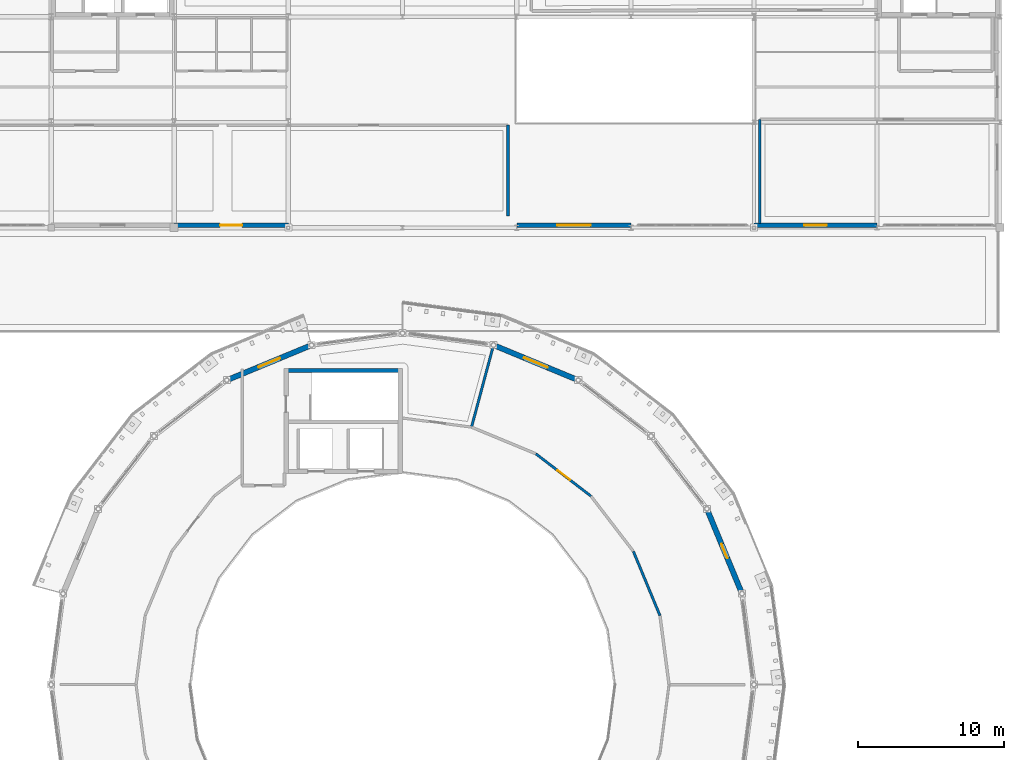
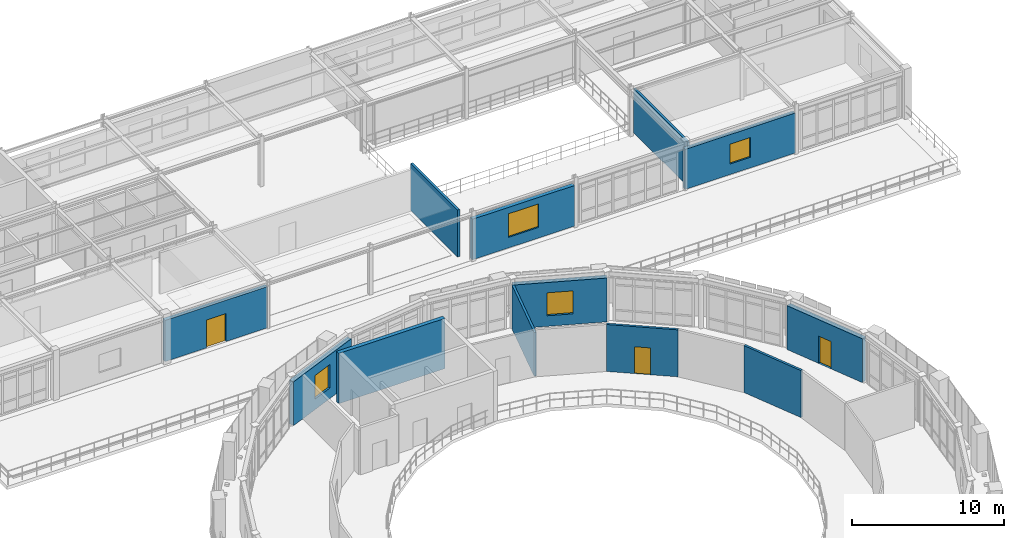
# One storey, part 46 of 58: 12 walls, 4 windows, 3 doors, 7 openings.
"""IFC4 building model written with IfcOpenShell, lengths in metres."""

import ifcopenshell
import ifcopenshell.guid

model = None  # the IFC model being written
_history = None  # IfcOwnerHistory: only IFC2X3 demands one
_inside = {}  # id of a spatial element -> (the spatial element, [elements in it])
_under = {}  # id of a project, library or spatial element -> (it, [spatial elements below it])
_declared = {}  # id of a project -> (the project, [libraries it declares])
_typed = {}  # id of a type object -> (the type object, [elements of that type])
_made_of = {}  # id of a material, layer set ... -> (it, [elements and type objects made of it])


def new_model(schema):
    """Start an empty IFC model of exactly this schema.

    Asked for "IFC4X3", IfcOpenShell would pick the latest addendum, in which some entities
    have other attributes; the version numbers below select the first issue.
    IFC2X3 requires an IfcOwnerHistory on every rooted entity: one is made here for all.
    """
    global model, _history
    if schema == "IFC4X3":
        model = ifcopenshell.file(schema_version=(4, 3, 0, 0))
    else:
        model = ifcopenshell.file(schema=schema)
    _inside.clear()
    _under.clear()
    _declared.clear()
    _typed.clear()
    _made_of.clear()
    _history = None
    if model.schema == "IFC2X3":
        org = make("IfcOrganization", Name="unknown")
        user = make(
            "IfcPersonAndOrganization",
            ThePerson=make("IfcPerson", FamilyName="unknown"),
            TheOrganization=org,
        )
        app = make(
            "IfcApplication",
            ApplicationDeveloper=org,
            Version="unknown",
            ApplicationFullName="unknown",
            ApplicationIdentifier="unknown",
        )
        _history = make(
            "IfcOwnerHistory",
            OwningUser=user,
            OwningApplication=app,
            ChangeAction="ADDED",
            CreationDate=0,
        )
    return model


def make(cls, **values):
    """One entity of the class cls with the attributes given. An attribute that is None is left unset."""
    return model.create_entity(
        cls, **{name: value for name, value in values.items() if value is not None}
    )


def rooted(cls, **values):
    """An entity with a GlobalId (a new one), such as an element, a storey or a relation."""
    return make(cls, GlobalId=ifcopenshell.guid.new(), OwnerHistory=_history, **values)


def si_unit(unit_type, name, prefix=None):
    """IfcSIUnit, for example si_unit("LENGTHUNIT", "METRE", prefix="MILLI")."""
    return make("IfcSIUnit", UnitType=unit_type, Prefix=prefix, Name=name)


def derived_unit(unit_type, elements):
    """IfcDerivedUnit: a product of units, each with its exponent."""
    return make(
        "IfcDerivedUnit",
        Elements=[
            make("IfcDerivedUnitElement", Unit=unit, Exponent=power)
            for unit, power in elements
        ],
        UnitType=unit_type,
    )


def assignment(units):
    """IfcUnitAssignment: the units of a project."""
    return None if units is None else make("IfcUnitAssignment", Units=units)


def point(xyz):
    """IfcCartesianPoint."""
    return None if xyz is None else make("IfcCartesianPoint", Coordinates=xyz)


def direction(xyz):
    """IfcDirection."""
    return None if xyz is None else make("IfcDirection", DirectionRatios=xyz)


def frame(location, z_axis=None, x_axis=None):
    """IfcAxis2Placement3D, a coordinate frame: its origin and axes. An axis left out is left unset."""
    return make(
        "IfcAxis2Placement3D",
        Location=point(location),
        Axis=direction(z_axis),
        RefDirection=direction(x_axis),
    )


def frame_2d(location, x_axis=None):
    """IfcAxis2Placement2D, a coordinate frame in the plane: its origin and x axis."""
    return make(
        "IfcAxis2Placement2D", Location=point(location), RefDirection=direction(x_axis)
    )


def origin():
    """The frame at (0, 0, 0) with its axes left unset."""
    return frame((0.0, 0.0, 0.0))


def place(relative_to, where):
    """IfcLocalPlacement: puts the frame where relative to a parent placement (None: the world)."""
    return make(
        "IfcLocalPlacement", PlacementRelTo=relative_to, RelativePlacement=where
    )


def context(
    kind, dimensions, precision=None, world=None, true_north=None, identifier=None
):
    """IfcGeometricRepresentationContext, for example the 3D "Model" context."""
    return make(
        "IfcGeometricRepresentationContext",
        ContextIdentifier=identifier,
        ContextType=kind,
        CoordinateSpaceDimension=dimensions,
        Precision=precision,
        WorldCoordinateSystem=world,
        TrueNorth=true_north,
    )


def subcontext(parent, identifier, kind, view, scale=None):
    """IfcGeometricRepresentationSubContext, for example "Body" below "Model"."""
    return make(
        "IfcGeometricRepresentationSubContext",
        ContextIdentifier=identifier,
        ContextType=kind,
        ParentContext=parent,
        TargetScale=scale,
        TargetView=view,
    )


def project(units=None, contexts=None):
    """IfcProject with its units and contexts."""
    return rooted(
        "IfcProject",
        Name="project",
        RepresentationContexts=contexts,
        UnitsInContext=assignment(units),
    )


def spatial(cls, under=None, at=None, **own):
    """A site, building, storey or space (cls), placed at a placement, below another one or the project."""
    s = rooted(cls, ObjectPlacement=at, **own)
    if under is not None:
        _under.setdefault(under.id(), (under, []))[1].append(s)
    return s


def profile(cls, at=None, kind="AREA", **sizes):
    """A parametric profile (cls). Its sizes go by their IFC names, for example OverallWidth=200.0."""
    return make(cls, ProfileType=kind, Position=at, **sizes)


def rectangle(**sizes):
    """IfcRectangleProfileDef."""
    return profile("IfcRectangleProfileDef", **sizes)


def extrude(swept, where, along, depth):
    """IfcExtrudedAreaSolid: the profile swept, set in the frame where, extruded along a direction by depth."""
    return make(
        "IfcExtrudedAreaSolid",
        SweptArea=swept,
        Position=where,
        ExtrudedDirection=direction(along),
        Depth=depth,
    )


def shape(context_of_items, identifier, shape_type, items):
    """IfcShapeRepresentation: the items that make up one representation, for example the "Body"."""
    return make(
        "IfcShapeRepresentation",
        ContextOfItems=context_of_items,
        RepresentationIdentifier=identifier,
        RepresentationType=shape_type,
        Items=items,
    )


def material(Name=None, Category=None):
    """IfcMaterial."""
    return make("IfcMaterial", Name=Name, Category=Category)


def layer(
    of_material, thickness, ventilated=None, Name=None, Category=None, Priority=None
):
    """IfcMaterialLayer: one layer of a wall or slab, of a material (None: an air gap)."""
    return make(
        "IfcMaterialLayer",
        Material=of_material,
        LayerThickness=thickness,
        IsVentilated=ventilated,
        Name=Name,
        Category=Category,
        Priority=Priority,
    )


def layer_set(layers, Name=None):
    """IfcMaterialLayerSet."""
    return make("IfcMaterialLayerSet", MaterialLayers=layers, LayerSetName=Name)


def made_of(thing, what):
    """Note that an element or type object is made of a material, layer set ...; save() writes the relation."""
    if what is not None:
        _made_of.setdefault(what.id(), (what, []))[1].append(thing)
    return thing


def type_object(cls, material=None, **own):
    """A type object (cls), such as IfcWallType, which elements share."""
    return made_of(rooted(cls, **own), material)


def element(
    cls,
    number,
    at=None,
    inside=None,
    cuts=None,
    type_object=None,
    material=None,
    context=None,
    identifier="Body",
    shape_type=None,
    held_by="IfcProductDefinitionShape",
    body=None,
    shapes=None,
    **own,
):
    """One element of the class cls, such as IfcWall. Its Tag is "e" and its number.

    at: its placement. inside: the storey or other place that contains it. cuts: it is an
    opening in that element (IfcRelVoidsElement). A single representation is given by context,
    identifier, shape_type and body (its items); several are given by shapes. held_by: the class
    of the entity that holds the representations. save() writes the other relations.
    """
    e = rooted(cls, Tag="e%d" % number, ObjectPlacement=at, **own)
    if body is not None:
        shapes = [shape(context, identifier, shape_type, body)]
    if shapes is not None:
        e.Representation = make(held_by, Representations=shapes)
    if inside is not None:
        _inside.setdefault(inside.id(), (inside, []))[1].append(e)
    if cuts is not None:
        rooted(
            "IfcRelVoidsElement", RelatingBuildingElement=cuts, RelatedOpeningElement=e
        )
    if type_object is not None:
        _typed.setdefault(type_object.id(), (type_object, []))[1].append(e)
    return made_of(e, material)


def fill(opening, filler):
    """IfcRelFillsElement: the door or window that sits in an opening."""
    return rooted(
        "IfcRelFillsElement",
        RelatingOpeningElement=opening,
        RelatedBuildingElement=filler,
    )


def aggregate(whole, parts):
    """IfcRelAggregates: a whole, such as a stair, and the parts it consists of."""
    return rooted("IfcRelAggregates", RelatingObject=whole, RelatedObjects=parts)


def save(model, path):
    """Write the relations noted so far, then the file.

    IfcRelAggregates (storeys below a building ...), IfcRelContainedInSpatialStructure (elements
    in a storey), IfcRelDefinesByType, IfcRelAssociatesMaterial and IfcRelDeclares: one each for
    every whole, place, type object, material and project.
    """
    for whole, parts in _under.values():
        aggregate(whole, parts)
    for where, things in _inside.values():
        rooted(
            "IfcRelContainedInSpatialStructure",
            RelatedElements=things,
            RelatingStructure=where,
        )
    for kind, things in _typed.values():
        rooted("IfcRelDefinesByType", RelatedObjects=things, RelatingType=kind)
    for what, things in _made_of.values():
        rooted("IfcRelAssociatesMaterial", RelatedObjects=things, RelatingMaterial=what)
    for by, libraries in _declared.values():
        rooted("IfcRelDeclares", RelatingContext=by, RelatedDefinitions=libraries)
    model.write(path)


model = new_model("IFC4")

# Units and contexts
model_context = context("Model", 3, precision=1e-05, world=origin(), true_north=direction((0.0, 1.0)))
body_context = subcontext(model_context, "Body", "Model", "MODEL_VIEW")
ifc_project = project(units=[si_unit("LENGTHUNIT", "METRE"), si_unit("AREAUNIT", "SQUARE_METRE"), si_unit("VOLUMEUNIT", "CUBIC_METRE"), si_unit("PLANEANGLEUNIT", "RADIAN"), si_unit("MASSUNIT", "GRAM", prefix="KILO"), derived_unit("THERMALTRANSMITTANCEUNIT", [(si_unit("POWERUNIT", "WATT"), 1), (si_unit("AREAUNIT", "SQUARE_METRE"), -1), (si_unit("THERMODYNAMICTEMPERATUREUNIT", "KELVIN"), -1)])], contexts=[model_context])

# Site, building, storey
site_placement = place(None, origin())
site = spatial("IfcSite", under=ifc_project, at=site_placement, CompositionType="ELEMENT")
building_placement = place(site_placement, origin())
building = spatial("IfcBuilding", under=site, at=building_placement, Name="Yasenodar Specialist Clinic", CompositionType="ELEMENT")
storey_placement = place(building_placement, frame((0.0, 0.0, 17.25)))
storey = spatial("IfcBuildingStorey", under=building, at=storey_placement, Name="L04", CompositionType="ELEMENT", Elevation=17.25)

# Wall, opening, door
ifc_material_1 = material(Name="Drum Insulated Terracotta Chord Wall", Category="masonry")
ifc_layer_1 = layer(ifc_material_1, 0.364990234375)
ifc_layer_set_1 = layer_set([ifc_layer_1], Name="Drum Insulated Terracotta Chord Wall")
wall_type_1 = type_object("IfcWallType", Name="EW-DRUM-365", PredefinedType="SOLIDWALL", material=ifc_layer_set_1)
wall_1_placement = place(storey_placement, frame((101.78466796875, 70.800048828125, 0.0), z_axis=(0.0, 0.0, 1.0), x_axis=(0.382663829839, -0.9238876519, 0.0)))
wall_1 = element("IfcWall", 1, at=wall_1_placement, inside=storey, type_object=wall_type_1, Name="L04 Exterior Facade Wall 0032", PredefinedType="SOLIDWALL", context=body_context, shape_type="SweptSolid", body=[
    extrude(rectangle(XDim=6.26513671875, YDim=0.364990234375, at=frame_2d((3.132568359375, 0.0))), origin(), (0.0, 0.0, 1.0), 3.528076171875),
])
opening_1_placement = place(wall_1_placement, frame((2.607666015625, 0.0, 0.0)))
opening_1 = element("IfcOpeningElement", 2, at=opening_1_placement, cuts=wall_1, Name="Opening BD-01", PredefinedType="OPENING", context=body_context, shape_type="SweptSolid", body=[
    extrude(rectangle(XDim=1.050048828125, YDim=2.199951171875, at=frame_2d((0.52490234375, 1.10009765625))), frame((0.0, 0.1923828125, 0.0), z_axis=(0.0, -1.0, 0.0), x_axis=(1.0, 0.0, 0.0)), (0.0, 0.0, 1.0), 0.385009765625),
])
ifc_material_2 = material(Name="Thermally Broken Bronze Anodized Aluminium and Laminated Glass", Category="aluminium")
door_type_1 = type_object("IfcDoorType", Name="DR-BALC-105", OperationType="NOTDEFINED", PredefinedType="DOOR", material=ifc_material_2)
door_1_placement = place(opening_1_placement, origin())
door_1 = element("IfcDoor", 3, at=door_1_placement, inside=storey, type_object=door_type_1, Name="L04 Drum Balcony Access Door Sector 01", OperationType="SINGLE_SWING_LEFT", OverallHeight=2.199951171875, OverallWidth=1.050048828125, PredefinedType="DOOR", context=body_context, shape_type="SweptSolid", body=[
    extrude(rectangle(XDim=1.050048828125, YDim=2.199951171875, at=frame_2d((0.52490234375, 1.10009765625))), frame((0.0, 0.02490234375, 0.0), z_axis=(0.0, -1.0, 0.0), x_axis=(1.0, 0.0, 0.0)), (0.0, 0.0, 1.0), 0.050048828125),
])
fill(opening_1, door_1)

# Wall, opening, window
wall_2_placement = place(storey_placement, frame((87.211669921875, 81.982177734375, 0.0), z_axis=(0.0, 0.0, 1.0), x_axis=(0.9238876519, -0.382663829839, 0.0)))
wall_2 = element("IfcWall", 4, at=wall_2_placement, inside=storey, type_object=wall_type_1, Name="L04 Exterior Facade Wall 0033", PredefinedType="SOLIDWALL", context=body_context, shape_type="SweptSolid", body=[
    extrude(rectangle(XDim=6.26513671875, YDim=0.364990234375, at=frame_2d((3.132568359375, 0.0))), origin(), (0.0, 0.0, 1.0), 3.528076171875),
])
opening_2_placement = place(wall_2_placement, frame((2.257568359375, 0.0, 0.85009765625)))
opening_2 = element("IfcOpeningElement", 5, at=opening_2_placement, cuts=wall_2, Name="Opening W-23", PredefinedType="OPENING", context=body_context, shape_type="SweptSolid", body=[
    extrude(rectangle(XDim=1.75, YDim=1.85009765625, at=frame_2d((0.875, 0.925048828125))), frame((0.0, 0.1923828125, 0.0), z_axis=(0.0, -1.0, 0.0), x_axis=(1.0, 0.0, 0.0)), (0.0, 0.0, 1.0), 0.385009765625),
])
ifc_material_3 = material(Name="Triple Low-E Argon Glazing in Bronze Aluminium Frame", Category="aluminium")
window_type_1 = type_object("IfcWindowType", Name="WIN-EXT-23", PartitioningType="SINGLE_PANEL", PredefinedType="WINDOW", material=ifc_material_3)
window_1_placement = place(opening_2_placement, origin())
window_1 = element("IfcWindow", 6, at=window_1_placement, inside=storey, type_object=window_type_1, Name="L04 Triple-Glazed Reveal Window 0018", OverallHeight=1.85009765625, OverallWidth=1.75, PartitioningType="SINGLE_PANEL", PredefinedType="WINDOW", context=body_context, shape_type="SweptSolid", body=[
    extrude(rectangle(XDim=1.75, YDim=1.85009765625, at=frame_2d((0.875, 0.925048828125))), frame((0.0, 0.030029296875, 0.0), z_axis=(0.0, -1.0, 0.0), x_axis=(1.0, 0.0, 0.0)), (0.0, 0.0, 1.0), 0.06005859375),
])
fill(opening_2, window_1)

wall_3_placement = place(storey_placement, frame((69.0, 79.584716796875, 0.0), z_axis=(0.0, 0.0, 1.0), x_axis=(0.9238876519, 0.382663829839, 0.0)))
wall_3 = element("IfcWall", 7, at=wall_3_placement, inside=storey, type_object=wall_type_1, Name="L04 Exterior Facade Wall 0034", PredefinedType="SOLIDWALL", context=body_context, shape_type="SweptSolid", body=[
    extrude(rectangle(XDim=6.26513671875, YDim=0.364990234375, at=frame_2d((3.132568359375, 0.0))), origin(), (0.0, 0.0, 1.0), 3.528076171875),
])
opening_3_placement = place(wall_3_placement, frame((2.33251953125, 0.0, 0.85009765625)))
opening_3 = element("IfcOpeningElement", 8, at=opening_3_placement, cuts=wall_3, Name="Opening W-04", PredefinedType="OPENING", context=body_context, shape_type="SweptSolid", body=[
    extrude(rectangle(XDim=1.60009765625, YDim=1.89990234375, at=frame_2d((0.800048828125, 0.949951171875))), frame((0.0, 0.1923828125, 0.0), z_axis=(0.0, -1.0, 0.0), x_axis=(1.0, 0.0, 0.0)), (0.0, 0.0, 1.0), 0.385009765625),
])
window_type_2 = type_object("IfcWindowType", Name="WIN-EXT-04", PartitioningType="SINGLE_PANEL", PredefinedType="WINDOW", material=ifc_material_3)
window_2_placement = place(opening_3_placement, origin())
window_2 = element("IfcWindow", 9, at=window_2_placement, inside=storey, type_object=window_type_2, Name="L04 Triple-Glazed Reveal Window 0019", OverallHeight=1.89990234375, OverallWidth=1.60009765625, PartitioningType="SINGLE_PANEL", PredefinedType="WINDOW", context=body_context, shape_type="SweptSolid", body=[
    extrude(rectangle(XDim=1.60009765625, YDim=1.89990234375, at=frame_2d((0.800048828125, 0.949951171875))), frame((0.0, 0.030029296875, 0.0), z_axis=(0.0, -1.0, 0.0), x_axis=(1.0, 0.0, 0.0)), (0.0, 0.0, 1.0), 0.06005859375),
])
fill(opening_3, window_2)

ifc_material_4 = material(Name="Stepped Terrace Insulated Terracotta Wall", Category="masonry")
ifc_layer_2 = layer(ifc_material_4, 0.294921875)
ifc_layer_set_2 = layer_set([ifc_layer_2], Name="Stepped Terrace Insulated Terracotta Wall")
wall_type_2 = type_object("IfcWallType", Name="EW-TERR-295", PredefinedType="SOLIDWALL", material=ifc_layer_set_2)
wall_4_placement = place(storey_placement, frame((113.39990234375, 90.169921875, 0.0), z_axis=(0.0, 0.0, 1.0), x_axis=(-1.0, 0.0, 0.0)))
wall_4 = element("IfcWall", 10, at=wall_4_placement, inside=storey, type_object=wall_type_2, Name="L04 Exterior Facade Wall 0145", PredefinedType="SOLIDWALL", context=body_context, shape_type="SweptSolid", body=[
    extrude(rectangle(XDim=8.39990234375, YDim=0.294921875, at=frame_2d((4.199951171875, 0.0))), origin(), (0.0, 0.0, 1.0), 3.218017578125),
])
opening_4_placement = place(wall_4_placement, frame((3.425048828125, 0.0, 0.85009765625)))
opening_4 = element("IfcOpeningElement", 11, at=opening_4_placement, cuts=wall_4, Name="Opening W-16", PredefinedType="OPENING", context=body_context, shape_type="SweptSolid", body=[
    extrude(rectangle(XDim=1.550048828125, YDim=1.60009765625, at=frame_2d((0.77490234375, 0.800048828125))), frame((0.0, 0.157470703125, 0.0), z_axis=(0.0, -1.0, 0.0), x_axis=(1.0, 0.0, 0.0)), (0.0, 0.0, 1.0), 0.31494140625),
])
window_type_3 = type_object("IfcWindowType", Name="WIN-EXT-16", PartitioningType="SINGLE_PANEL", PredefinedType="WINDOW", material=ifc_material_3)
window_3_placement = place(opening_4_placement, origin())
window_3 = element("IfcWindow", 12, at=window_3_placement, inside=storey, type_object=window_type_3, Name="L04 Triple-Glazed Reveal Window 0161", OverallHeight=1.60009765625, OverallWidth=1.550048828125, PartitioningType="SINGLE_PANEL", PredefinedType="WINDOW", context=body_context, shape_type="SweptSolid", body=[
    extrude(rectangle(XDim=1.550048828125, YDim=1.60009765625, at=frame_2d((0.77490234375, 0.800048828125))), frame((0.0, 0.030029296875, 0.0), z_axis=(0.0, -1.0, 0.0), x_axis=(1.0, 0.0, 0.0)), (0.0, 0.0, 1.0), 0.06005859375),
])
fill(opening_4, window_3)

wall_5_placement = place(storey_placement, frame((96.60009765625, 90.169921875, 0.0), z_axis=(0.0, 0.0, 1.0), x_axis=(-1.0, 0.0, 0.0)))
wall_5 = element("IfcWall", 13, at=wall_5_placement, inside=storey, type_object=wall_type_2, Name="L04 Exterior Facade Wall 0146", PredefinedType="SOLIDWALL", context=body_context, shape_type="SweptSolid", body=[
    extrude(rectangle(XDim=7.800048828125, YDim=0.294921875, at=frame_2d((3.89990234375, 0.0))), origin(), (0.0, 0.0, 1.0), 3.26806640625),
])
opening_5_placement = place(wall_5_placement, frame((2.75, 0.0, 0.85009765625)))
opening_5 = element("IfcOpeningElement", 14, at=opening_5_placement, cuts=wall_5, Name="Opening W-18", PredefinedType="OPENING", context=body_context, shape_type="SweptSolid", body=[
    extrude(rectangle(XDim=2.300048828125, YDim=1.89990234375, at=frame_2d((1.14990234375, 0.949951171875))), frame((0.0, 0.157470703125, 0.0), z_axis=(0.0, -1.0, 0.0), x_axis=(1.0, 0.0, 0.0)), (0.0, 0.0, 1.0), 0.31494140625),
])
window_type_4 = type_object("IfcWindowType", Name="WIN-EXT-18", PartitioningType="SINGLE_PANEL", PredefinedType="WINDOW", material=ifc_material_3)
window_4_placement = place(opening_5_placement, origin())
window_4 = element("IfcWindow", 15, at=window_4_placement, inside=storey, type_object=window_type_4, Name="L04 Triple-Glazed Reveal Window 0162", OverallHeight=1.89990234375, OverallWidth=2.300048828125, PartitioningType="SINGLE_PANEL", PredefinedType="WINDOW", context=body_context, shape_type="SweptSolid", body=[
    extrude(rectangle(XDim=2.300048828125, YDim=1.89990234375, at=frame_2d((1.14990234375, 0.949951171875))), frame((0.0, 0.030029296875, 0.0), z_axis=(0.0, -1.0, 0.0), x_axis=(1.0, 0.0, 0.0)), (0.0, 0.0, 1.0), 0.06005859375),
])
fill(opening_5, window_4)

# Wall, opening, door
wall_6_placement = place(storey_placement, frame((73.199951171875, 90.169921875, 0.0), z_axis=(0.0, 0.0, 1.0), x_axis=(-1.0, 0.0, 0.0)))
wall_6 = element("IfcWall", 16, at=wall_6_placement, inside=storey, type_object=wall_type_2, Name="L04 Exterior Facade Wall 0147", PredefinedType="SOLIDWALL", context=body_context, shape_type="SweptSolid", body=[
    extrude(rectangle(XDim=7.800048828125, YDim=0.294921875, at=frame_2d((3.89990234375, 0.0))), origin(), (0.0, 0.0, 1.0), 3.318115234375),
])
opening_6_placement = place(wall_6_placement, frame((3.14990234375, 0.0, 0.0)))
opening_6 = element("IfcOpeningElement", 17, at=opening_6_placement, cuts=wall_6, Name="Opening TD-01", PredefinedType="OPENING", context=body_context, shape_type="SweptSolid", body=[
    extrude(rectangle(XDim=1.5, YDim=2.25, at=frame_2d((0.75, 1.125))), frame((0.0, 0.157470703125, 0.0), z_axis=(0.0, -1.0, 0.0), x_axis=(1.0, 0.0, 0.0)), (0.0, 0.0, 1.0), 0.31494140625),
])
door_type_2 = type_object("IfcDoorType", Name="DR-TERR-150", OperationType="DOUBLE_DOOR_SINGLE_SWING", PredefinedType="DOOR", material=ifc_material_2)
door_2_placement = place(opening_6_placement, origin())
door_2 = element("IfcDoor", 18, at=door_2_placement, inside=storey, type_object=door_type_2, Name="L04 L04 Step-1 Planted Terrace Access Door", OperationType="DOUBLE_DOOR_SINGLE_SWING", OverallHeight=2.25, OverallWidth=1.5, PredefinedType="DOOR", context=body_context, shape_type="SweptSolid", body=[
    extrude(rectangle(XDim=1.5, YDim=2.25, at=frame_2d((0.75, 1.125))), frame((0.0, 0.02490234375, 0.0), z_axis=(0.0, -1.0, 0.0), x_axis=(1.0, 0.0, 0.0)), (0.0, 0.0, 1.0), 0.050048828125),
])
fill(opening_6, door_2)

ifc_material_5 = material(Name="Cleanroom Laboratory Partition")
ifc_layer_3 = layer(ifc_material_5, 0.169921875)
ifc_layer_set_3 = layer_set([ifc_layer_3], Name="Cleanroom Laboratory Partition")
wall_type_3 = type_object("IfcWallType", Name="IW-LAB-170", PredefinedType="PARTITIONING", material=ifc_layer_set_3)
wall_7_placement = place(storey_placement, frame((93.869384765625, 71.669189453125, 0.0), z_axis=(0.0, 0.0, 1.0), x_axis=(-0.793322600477, 0.60880148782, 0.0)))
wall_7 = element("IfcWall", 19, at=wall_7_placement, inside=storey, type_object=wall_type_3, Name="L04 Pulmonary Function and Bronchoscopy Suite Partition", PredefinedType="PARTITIONING", context=body_context, shape_type="SweptSolid", body=[
    extrude(rectangle(XDim=4.751220703125, YDim=0.169921875, at=frame_2d((2.37548828125, 0.0))), origin(), (0.0, 0.0, 1.0), 3.780029296875),
])
opening_7_placement = place(wall_7_placement, frame((1.82568359375, 0.0, 0.0)))
opening_7 = element("IfcOpeningElement", 20, at=opening_7_placement, cuts=wall_7, Name="Opening D-04", PredefinedType="OPENING", context=body_context, shape_type="SweptSolid", body=[
    extrude(rectangle(XDim=1.06005859375, YDim=2.159912109375, at=frame_2d((0.530029296875, 1.080078125))), frame((0.0, 0.094970703125, 0.0), z_axis=(0.0, -1.0, 0.0), x_axis=(1.0, 0.0, 0.0)), (0.0, 0.0, 1.0), 0.18994140625),
])
ifc_material_6 = material(Name="Powder-Coated Steel and Acoustic Laminate Leaf", Category="steel")
door_type_3 = type_object("IfcDoorType", Name="DR-CLN-106", OperationType="NOTDEFINED", PredefinedType="DOOR", material=ifc_material_6)
door_3_placement = place(opening_7_placement, origin())
door_3 = element("IfcDoor", 21, at=door_3_placement, inside=storey, type_object=door_type_3, Name="L04 Pulmonary Function and Bronchoscopy Suite Door", OperationType="SINGLE_SWING_LEFT", OverallHeight=2.159912109375, OverallWidth=1.06005859375, PredefinedType="DOOR", context=body_context, shape_type="SweptSolid", body=[
    extrude(rectangle(XDim=1.06005859375, YDim=2.159912109375, at=frame_2d((0.530029296875, 1.080078125))), frame((0.0, 0.02490234375, 0.0), z_axis=(0.0, -1.0, 0.0), x_axis=(1.0, 0.0, 0.0)), (0.0, 0.0, 1.0), 0.050048828125),
])
fill(opening_7, door_3)

# Walls
wall_8_placement = place(storey_placement, frame((98.579833984375, 63.510498046875, 0.0), z_axis=(0.0, 0.0, 1.0), x_axis=(-0.382677044484, 0.923882178432, 0.0)))
element("IfcWall", 22, at=wall_8_placement, inside=storey, type_object=wall_type_3, Name="L04 Pulmonary Function and Bronchoscopy Suite Partition", PredefinedType="PARTITIONING", context=body_context, shape_type="SweptSolid", body=[
    extrude(rectangle(XDim=4.7509765625, YDim=0.169921875, at=frame_2d((2.37548828125, 0.0))), origin(), (0.0, 0.0, 1.0), 3.780029296875),
])
wall_9_placement = place(storey_placement, frame((85.71044921875, 76.3798828125, 0.0), z_axis=(0.0, 0.0, 1.0), x_axis=(0.258829913508, 0.965922914043, 0.0)))
element("IfcWall", 23, at=wall_9_placement, inside=storey, type_object=wall_type_3, Name="L04 Pulmonary Function and Bronchoscopy Suite Partition", PredefinedType="PARTITIONING", context=body_context, shape_type="SweptSolid", body=[
    extrude(rectangle(XDim=5.635986328125, YDim=0.169921875, at=frame_2d((2.81787109375, 0.0))), origin(), (0.0, 0.0, 1.0), 3.528076171875),
])
wall_10_placement = place(storey_placement, frame((105.39990234375, 90.297607421875, 0.0), z_axis=(0.0, 0.0, 1.0), x_axis=(0.0, 1.0, 0.0)))
element("IfcWall", 24, at=wall_10_placement, inside=storey, type_object=wall_type_3, Name="L04 Bioinformatics Analysis Room Partition", PredefinedType="PARTITIONING", context=body_context, shape_type="SweptSolid", body=[
    extrude(rectangle(XDim=7.102294921875, YDim=0.169921875, at=frame_2d((3.55126953125, 0.0))), origin(), (0.0, 0.0, 1.0), 3.55810546875),
])
ifc_material_7 = material(Name="Hygienic Double-Stud Clinical Partition")
ifc_layer_4 = layer(ifc_material_7, 0.179931640625)
ifc_layer_set_4 = layer_set([ifc_layer_4], Name="Hygienic Double-Stud Clinical Partition")
wall_type_4 = type_object("IfcWallType", Name="IW-PROC-180", PredefinedType="PARTITIONING", material=ifc_layer_set_4)
wall_11_placement = place(storey_placement, frame((88.199951171875, 97.0, 0.0), z_axis=(0.0, 0.0, 1.0), x_axis=(0.0, -1.0, 0.0)))
element("IfcWall", 25, at=wall_11_placement, inside=storey, type_object=wall_type_4, Name="L04 Clinical Genomics Sequencing Laboratory Partition", PredefinedType="PARTITIONING", context=body_context, shape_type="SweptSolid", body=[
    extrude(rectangle(XDim=6.199951171875, YDim=0.179931640625, at=frame_2d((3.10009765625, 0.0))), origin(), (0.0, 0.0, 1.0), 3.780029296875),
])
ifc_material_8 = material(Name="Concrete C35/45", Category="concrete")
ifc_layer_5 = layer(ifc_material_8, 0.300048828125)
ifc_layer_set_5 = layer_set([ifc_layer_5], Name="Concrete C35/45")
wall_type_5 = type_object("IfcWallType", Name="WL-CORE-300", PredefinedType="SHEAR", material=ifc_layer_set_5)
wall_12_placement = place(storey_placement, frame((72.89990234375, 80.25, 0.0), z_axis=(0.0, 0.0, 1.0), x_axis=(1.0, 0.0, 0.0)))
element("IfcWall", 26, at=wall_12_placement, inside=storey, type_object=wall_type_5, Name="L04 Core C3 North Shear Wall", PredefinedType="SHEAR", context=body_context, shape_type="SweptSolid", body=[
    extrude(rectangle(XDim=8.10009765625, YDim=0.300048828125, at=frame_2d((4.050048828125, 0.0))), origin(), (0.0, 0.0, 1.0), 4.050048828125),
])

save(model, "model.ifc")
